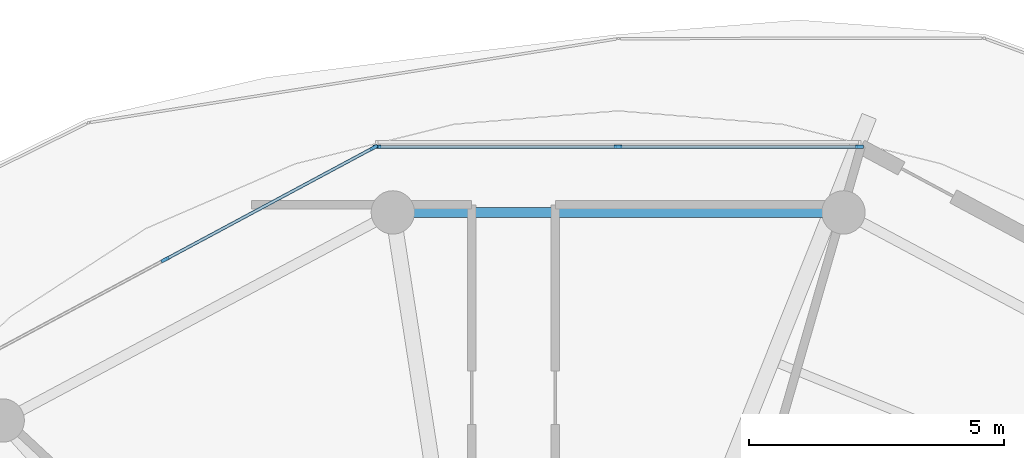
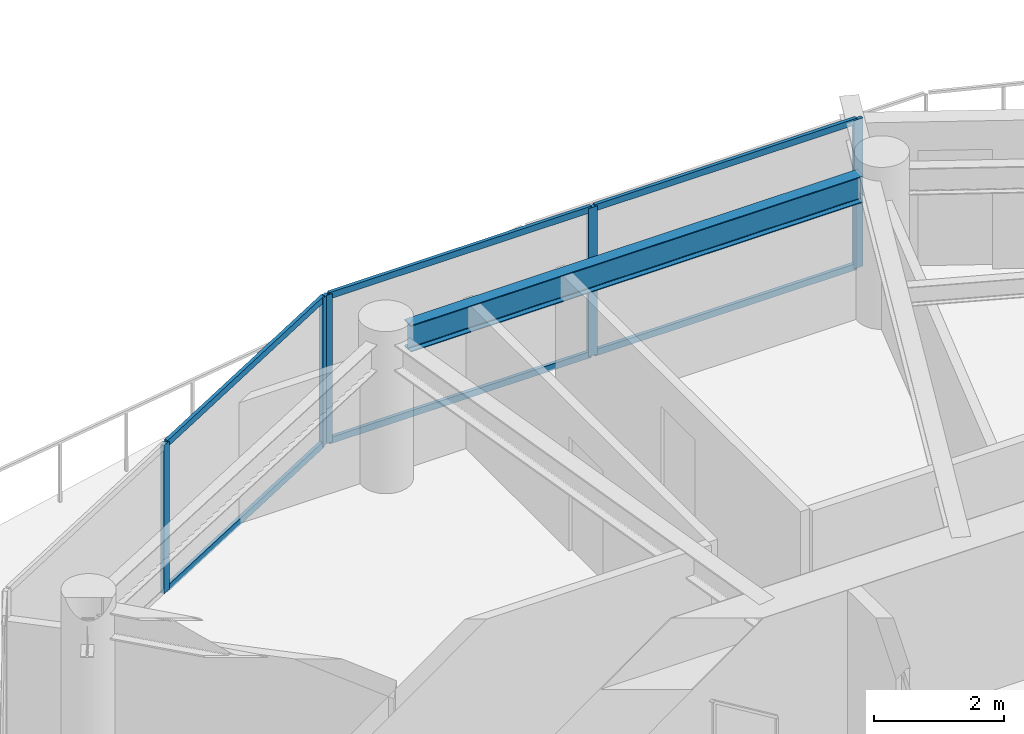
# One storey, part 9 of 23: 11 members, 1 beam, 2 elements without a shape of their own.
"""IFC4 building model written with IfcOpenShell, lengths in metres."""

from ifc_helpers import new_model, si_unit, direction, frame, origin, origin_2d, place, context, subcontext, project, spatial, rectangle, i_section, extrude, source, transform, mapped, material, layer, layer_set, material_profile, profile_set, type_object, type_shapes, element, aggregate, save


model = new_model("IFC4")

# Units and contexts
model_context = context("Model", 3, precision=1e-05, world=origin(), true_north=direction((0.0, 1.0)))
body_context = subcontext(model_context, "Body", "Model", "MODEL_VIEW")
ifc_project = project(units=[si_unit("LENGTHUNIT", "METRE"), si_unit("AREAUNIT", "SQUARE_METRE"), si_unit("VOLUMEUNIT", "CUBIC_METRE"), si_unit("PLANEANGLEUNIT", "RADIAN"), si_unit("MASSUNIT", "GRAM", prefix="KILO")], contexts=[model_context])

# Site, building, storey
site_placement = place(None, origin())
site = spatial("IfcSite", under=ifc_project, at=site_placement, CompositionType="ELEMENT")
building_placement = place(site_placement, origin())
building = spatial("IfcBuilding", under=site, at=building_placement, Name="Norrkilde Senior Care Towers", CompositionType="ELEMENT")
storey_placement = place(building_placement, frame((0.0, 0.0, 81.0)))
storey = spatial("IfcBuildingStorey", under=building, at=storey_placement, Name="L24", CompositionType="ELEMENT", Elevation=81.0)

# Beam
ifc_material_1 = material(Name="Steel S355", Category="steel")
ifc_material_profile_1 = material_profile(ifc_material_1, i_section(OverallWidth=0.199951171875, OverallDepth=0.5, WebThickness=0.01025390625, FlangeThickness=0.01611328125, FilletRadius=0.02099609375, at=origin_2d()), Name="IPE 500")
ifc_profile_set_1 = profile_set([ifc_material_profile_1], Name="Steel S355")
beam_type = type_object("IfcBeamType", Name="Perimeter Ring Spandrel Z2 IPE500", PredefinedType="SPANDREL", material=ifc_profile_set_1)
shared_shape_1 = source(origin(), body_context, "Body", "SweptSolid", [
    extrude(i_section(OverallWidth=0.199951171875, OverallDepth=0.5, WebThickness=0.01025390625, FlangeThickness=0.01611328125, FilletRadius=0.02099609375, at=origin_2d()), origin(), (0.0, 0.0, 1.0), 8.0556640625),
])
type_shapes(beam_type, [shared_shape_1])
beam_placement = place(storey_placement, frame((-21.922119140625, 15.21337890625, 2.5400390625), z_axis=(-1.0, 0.0, 0.0), x_axis=(0.0, -1.0, 0.0)))
element("IfcBeam", 1, at=beam_placement, inside=storey, type_object=beam_type, Name="L24 Drum W Perimeter Spandrel 03", PredefinedType="SPANDREL", context=body_context, shape_type="MappedRepresentation", body=[
    mapped(shared_shape_1, transform((0.0, 0.0, 0.0), x_axis=(1.0, 0.0, 0.0), y_axis=(0.0, 1.0, 0.0), z_axis=(0.0, 0.0, 1.0), scale=1.0)),
])

# Curtain wall, members
ifc_material_2 = material(Name="Triple Low-E Insulated Glazing", Category="glass")
ifc_layer = layer(ifc_material_2, 0.195068359375)
ifc_layer_set = layer_set([ifc_layer], Name="Triple Low-E Insulated Glazing")
curtain_wall_type = type_object("IfcCurtainWallType", Name="CW3 Zone 2 Assisted Living Curtain Wall", PredefinedType="NOTDEFINED", material=ifc_layer_set)
curtain_wall_1_placement = place(storey_placement, origin())
curtain_wall_1 = element("IfcCurtainWall", 2, at=curtain_wall_1_placement, inside=storey, type_object=curtain_wall_type, Name="L24 Drum W Curtain Wall 02", PredefinedType="NOTDEFINED")
ifc_material_3 = material(Name="Anodised Aluminium", Category="aluminium")
ifc_material_profile_2 = material_profile(ifc_material_3, rectangle(XDim=0.06494140625, YDim=0.159912109375, at=origin_2d()), Name="ALU MULL 65x160")
ifc_profile_set_2 = profile_set([ifc_material_profile_2], Name="Anodised Aluminium")
member_type_1 = type_object("IfcMemberType", Name="Curtain Wall Mullion Z1-Z2 65x160", PredefinedType="MULLION", material=ifc_profile_set_2)
shared_shape_2 = source(origin(), body_context, "Body", "SweptSolid", [
    extrude(rectangle(XDim=0.06494140625, YDim=0.159912109375, at=origin_2d()), origin(), (0.0, 0.0, 1.0), 2.7900390625),
])
type_shapes(member_type_1, [shared_shape_2])
member_1_placement = place(storey_placement, frame((-30.674560546875, 16.498046875, 0.0), z_axis=(0.0, 0.0, 1.0), x_axis=(0.0, 1.0, 0.0)))
member_1 = element("IfcMember", 3, at=member_1_placement, type_object=member_type_1, Name="CW-3 mullion 1", PredefinedType="MULLION", context=body_context, shape_type="MappedRepresentation", body=[
    mapped(shared_shape_2, transform((0.0, 0.0, 0.0), x_axis=(1.0, 0.0, 0.0), y_axis=(0.0, 1.0, 0.0), z_axis=(0.0, 0.0, 1.0), scale=1.0)),
])
member_2_placement = place(storey_placement, frame((-25.949951171875, 16.498046875, 0.0), z_axis=(0.0, 0.0, 1.0), x_axis=(0.0, 1.0, 0.0)))
member_2 = element("IfcMember", 4, at=member_2_placement, type_object=member_type_1, Name="CW-3 mullion 2", PredefinedType="MULLION", context=body_context, shape_type="MappedRepresentation", body=[
    mapped(shared_shape_2, transform((0.0, 0.0, 0.0), x_axis=(1.0, 0.0, 0.0), y_axis=(0.0, 1.0, 0.0), z_axis=(0.0, 0.0, 1.0), scale=1.0)),
])
member_3_placement = place(storey_placement, frame((-21.225341796875, 16.498046875, 0.0), z_axis=(0.0, 0.0, 1.0), x_axis=(0.0, 1.0, 0.0)))
member_3 = element("IfcMember", 5, at=member_3_placement, type_object=member_type_1, Name="CW-3 mullion 3", PredefinedType="MULLION", context=body_context, shape_type="MappedRepresentation", body=[
    mapped(shared_shape_2, transform((0.0, 0.0, 0.0), x_axis=(1.0, 0.0, 0.0), y_axis=(0.0, 1.0, 0.0), z_axis=(0.0, 0.0, 1.0), scale=1.0)),
])

curtain_wall_2_placement = place(storey_placement, origin())
curtain_wall_2 = element("IfcCurtainWall", 6, at=curtain_wall_2_placement, inside=storey, type_object=curtain_wall_type, Name="L24 Drum W Curtain Wall 03", PredefinedType="NOTDEFINED")
member_4_placement = place(storey_placement, frame((-34.826904296875, 14.28759765625, 0.0), z_axis=(0.0, 0.0, 1.0), x_axis=(-0.472769402511, 0.881186184668, 0.0)))
member_4 = element("IfcMember", 7, at=member_4_placement, type_object=member_type_1, Name="CW-3 mullion 2", PredefinedType="MULLION", context=body_context, shape_type="MappedRepresentation", body=[
    mapped(shared_shape_2, transform((0.0, 0.0, 0.0), x_axis=(1.0, 0.0, 0.0), y_axis=(0.0, 1.0, 0.0), z_axis=(0.0, 0.0, 1.0), scale=1.0)),
])
member_5_placement = place(storey_placement, frame((-30.73583984375, 16.482666015625, 0.0), z_axis=(0.0, 0.0, 1.0), x_axis=(-0.472769402511, 0.881186184668, 0.0)))
member_5 = element("IfcMember", 8, at=member_5_placement, type_object=member_type_1, Name="CW-3 mullion 3", PredefinedType="MULLION", context=body_context, shape_type="MappedRepresentation", body=[
    mapped(shared_shape_2, transform((0.0, 0.0, 0.0), x_axis=(1.0, 0.0, 0.0), y_axis=(0.0, 1.0, 0.0), z_axis=(0.0, 0.0, 1.0), scale=1.0)),
])

# Member
ifc_material_profile_3 = material_profile(ifc_material_3, rectangle(XDim=0.06005859375, YDim=0.1201171875, at=origin_2d()), Name="ALU TRAN 60x120")
ifc_profile_set_3 = profile_set([ifc_material_profile_3], Name="Anodised Aluminium")
member_type_2 = type_object("IfcMemberType", Name="Curtain Wall Transom Typical 60x120", PredefinedType="USERDEFINED", material=ifc_profile_set_3)
shared_shape_3 = source(origin(), body_context, "Body", "SweptSolid", [
    extrude(rectangle(XDim=0.06005859375, YDim=0.1201171875, at=origin_2d()), origin(), (0.0, 0.0, 1.0), 4.65966796875),
])
member_6_placement = place(storey_placement, frame((-30.64208984375, 16.498046875, 0.030029296875), z_axis=(1.0, 0.0, 0.0), x_axis=(0.0, 1.0, 0.0)))
member_6 = element("IfcMember", 9, at=member_6_placement, type_object=member_type_2, Name="CW-3 transom 1.1", ObjectType="TRANSOM", PredefinedType="USERDEFINED", context=body_context, shape_type="MappedRepresentation", body=[
    mapped(shared_shape_3, transform((0.0, 0.0, 0.0), x_axis=(1.0, 0.0, 0.0), y_axis=(0.0, 1.0, 0.0), z_axis=(0.0, 0.0, 1.0), scale=1.0)),
])

member_7_placement = place(storey_placement, frame((-30.64208984375, 16.498046875, 2.760009765625), z_axis=(1.0, 0.0, 0.0), x_axis=(0.0, 1.0, 0.0)))
member_7 = element("IfcMember", 10, at=member_7_placement, type_object=member_type_2, Name="CW-3 transom 1.2", ObjectType="TRANSOM", PredefinedType="USERDEFINED", context=body_context, shape_type="MappedRepresentation", body=[
    mapped(shared_shape_3, transform((0.0, 0.0, 0.0), x_axis=(1.0, 0.0, 0.0), y_axis=(0.0, 1.0, 0.0), z_axis=(0.0, 0.0, 1.0), scale=1.0)),
])

member_8_placement = place(storey_placement, frame((-25.91748046875, 16.498046875, 0.030029296875), z_axis=(1.0, 0.0, 0.0), x_axis=(0.0, 1.0, 0.0)))
member_8 = element("IfcMember", 11, at=member_8_placement, type_object=member_type_2, Name="CW-3 transom 2.1", ObjectType="TRANSOM", PredefinedType="USERDEFINED", context=body_context, shape_type="MappedRepresentation", body=[
    mapped(shared_shape_3, transform((0.0, 0.0, 0.0), x_axis=(1.0, 0.0, 0.0), y_axis=(0.0, 1.0, 0.0), z_axis=(0.0, 0.0, 1.0), scale=1.0)),
])

member_9_placement = place(storey_placement, frame((-25.91748046875, 16.498046875, 2.760009765625), z_axis=(1.0, 0.0, 0.0), x_axis=(0.0, 1.0, 0.0)))
member_9 = element("IfcMember", 12, at=member_9_placement, type_object=member_type_2, Name="CW-3 transom 2.2", ObjectType="TRANSOM", PredefinedType="USERDEFINED", context=body_context, shape_type="MappedRepresentation", body=[
    mapped(shared_shape_3, transform((0.0, 0.0, 0.0), x_axis=(1.0, 0.0, 0.0), y_axis=(0.0, 1.0, 0.0), z_axis=(0.0, 0.0, 1.0), scale=1.0)),
])

aggregate(curtain_wall_1, [member_1, member_2, member_3, member_6, member_7, member_8, member_9])

shared_shape_4 = source(origin(), body_context, "Body", "SweptSolid", [
    extrude(rectangle(XDim=0.06005859375, YDim=0.1201171875, at=origin_2d()), origin(), (0.0, 0.0, 1.0), 4.577880859375),
])
type_shapes(member_type_2, [shared_shape_3, shared_shape_4])
member_10_placement = place(storey_placement, frame((-34.79833984375, 14.302978515625, 0.030029296875), z_axis=(0.881182486146, 0.472776296053, 0.0), x_axis=(-0.472776296053, 0.881182486146, 0.0)))
member_10 = element("IfcMember", 13, at=member_10_placement, type_object=member_type_2, Name="CW-3 transom 2.1", ObjectType="TRANSOM", PredefinedType="USERDEFINED", context=body_context, shape_type="MappedRepresentation", body=[
    mapped(shared_shape_4, transform((0.0, 0.0, 0.0), x_axis=(1.0, 0.0, 0.0), y_axis=(0.0, 1.0, 0.0), z_axis=(0.0, 0.0, 1.0), scale=1.0)),
])

member_11_placement = place(storey_placement, frame((-34.79833984375, 14.302978515625, 2.760009765625), z_axis=(0.881182486146, 0.472776296053, 0.0), x_axis=(-0.472776296053, 0.881182486146, 0.0)))
member_11 = element("IfcMember", 14, at=member_11_placement, type_object=member_type_2, Name="CW-3 transom 2.2", ObjectType="TRANSOM", PredefinedType="USERDEFINED", context=body_context, shape_type="MappedRepresentation", body=[
    mapped(shared_shape_4, transform((0.0, 0.0, 0.0), x_axis=(1.0, 0.0, 0.0), y_axis=(0.0, 1.0, 0.0), z_axis=(0.0, 0.0, 1.0), scale=1.0)),
])

aggregate(curtain_wall_2, [member_4, member_5, member_10, member_11])

save(model, "model.ifc")
